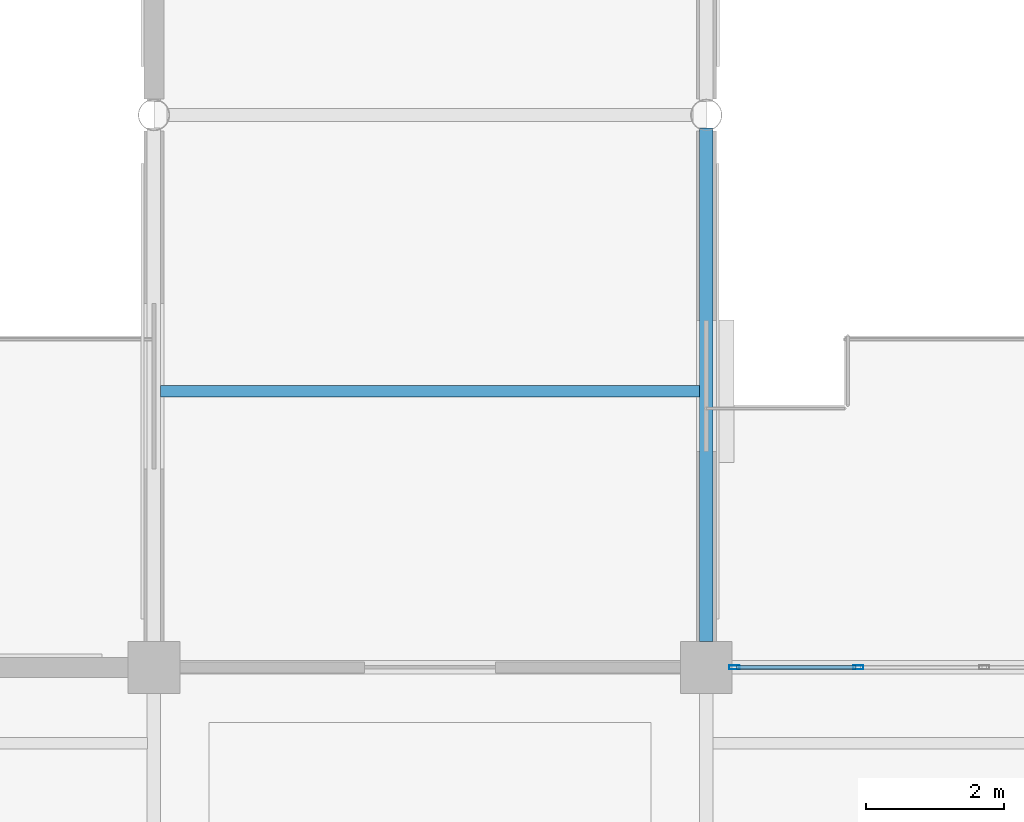
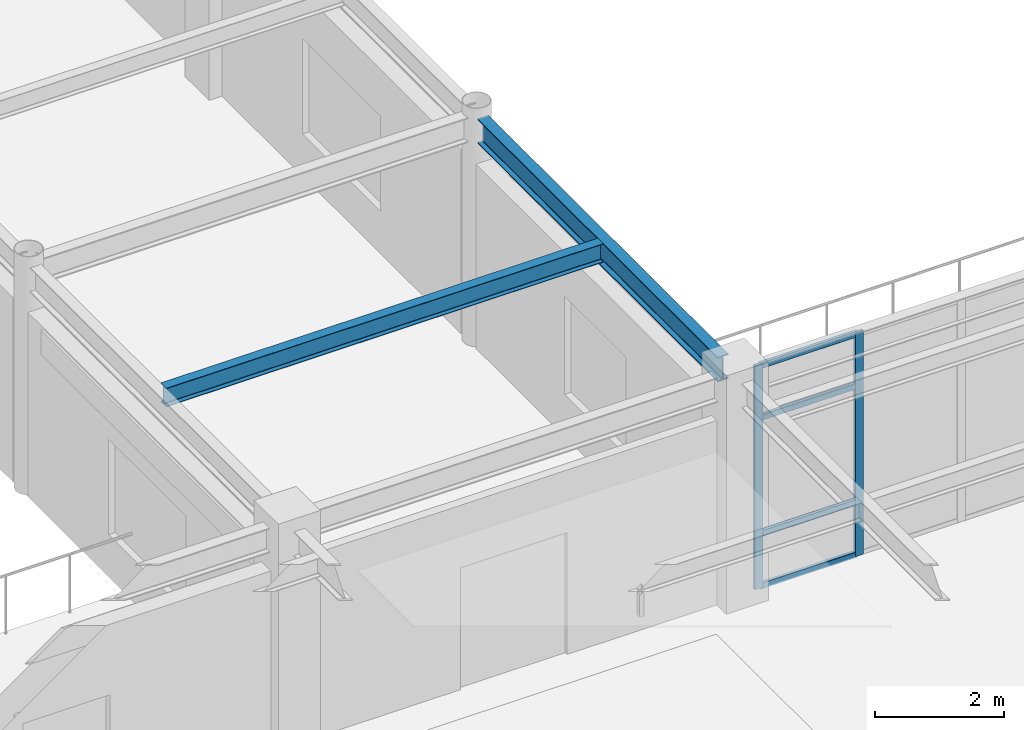
# One storey, part 16 of 78: 6 members, 2 beams, 1 element without a shape of its own.
"""IFC4 building model written with IfcOpenShell, lengths in metres."""

import ifcopenshell
import ifcopenshell.guid

model = None  # the IFC model being written
_history = None  # IfcOwnerHistory: only IFC2X3 demands one
_inside = {}  # id of a spatial element -> (the spatial element, [elements in it])
_under = {}  # id of a project, library or spatial element -> (it, [spatial elements below it])
_declared = {}  # id of a project -> (the project, [libraries it declares])
_typed = {}  # id of a type object -> (the type object, [elements of that type])
_made_of = {}  # id of a material, layer set ... -> (it, [elements and type objects made of it])


def new_model(schema):
    """Start an empty IFC model of exactly this schema.

    Asked for "IFC4X3", IfcOpenShell would pick the latest addendum, in which some entities
    have other attributes; the version numbers below select the first issue.
    IFC2X3 requires an IfcOwnerHistory on every rooted entity: one is made here for all.
    """
    global model, _history
    if schema == "IFC4X3":
        model = ifcopenshell.file(schema_version=(4, 3, 0, 0))
    else:
        model = ifcopenshell.file(schema=schema)
    _inside.clear()
    _under.clear()
    _declared.clear()
    _typed.clear()
    _made_of.clear()
    _history = None
    if model.schema == "IFC2X3":
        org = make("IfcOrganization", Name="unknown")
        user = make(
            "IfcPersonAndOrganization",
            ThePerson=make("IfcPerson", FamilyName="unknown"),
            TheOrganization=org,
        )
        app = make(
            "IfcApplication",
            ApplicationDeveloper=org,
            Version="unknown",
            ApplicationFullName="unknown",
            ApplicationIdentifier="unknown",
        )
        _history = make(
            "IfcOwnerHistory",
            OwningUser=user,
            OwningApplication=app,
            ChangeAction="ADDED",
            CreationDate=0,
        )
    return model


def make(cls, **values):
    """One entity of the class cls with the attributes given. An attribute that is None is left unset."""
    return model.create_entity(
        cls, **{name: value for name, value in values.items() if value is not None}
    )


def rooted(cls, **values):
    """An entity with a GlobalId (a new one), such as an element, a storey or a relation."""
    return make(cls, GlobalId=ifcopenshell.guid.new(), OwnerHistory=_history, **values)


def si_unit(unit_type, name, prefix=None):
    """IfcSIUnit, for example si_unit("LENGTHUNIT", "METRE", prefix="MILLI")."""
    return make("IfcSIUnit", UnitType=unit_type, Prefix=prefix, Name=name)


def assignment(units):
    """IfcUnitAssignment: the units of a project."""
    return None if units is None else make("IfcUnitAssignment", Units=units)


def point(xyz):
    """IfcCartesianPoint."""
    return None if xyz is None else make("IfcCartesianPoint", Coordinates=xyz)


def direction(xyz):
    """IfcDirection."""
    return None if xyz is None else make("IfcDirection", DirectionRatios=xyz)


def frame(location, z_axis=None, x_axis=None):
    """IfcAxis2Placement3D, a coordinate frame: its origin and axes. An axis left out is left unset."""
    return make(
        "IfcAxis2Placement3D",
        Location=point(location),
        Axis=direction(z_axis),
        RefDirection=direction(x_axis),
    )


def frame_2d(location, x_axis=None):
    """IfcAxis2Placement2D, a coordinate frame in the plane: its origin and x axis."""
    return make(
        "IfcAxis2Placement2D", Location=point(location), RefDirection=direction(x_axis)
    )


def origin():
    """The frame at (0, 0, 0) with its axes left unset."""
    return frame((0.0, 0.0, 0.0))


def origin_2d():
    """The frame at (0, 0) in the plane with its x axis left unset."""
    return frame_2d((0.0, 0.0))


def place(relative_to, where):
    """IfcLocalPlacement: puts the frame where relative to a parent placement (None: the world)."""
    return make(
        "IfcLocalPlacement", PlacementRelTo=relative_to, RelativePlacement=where
    )


def context(
    kind, dimensions, precision=None, world=None, true_north=None, identifier=None
):
    """IfcGeometricRepresentationContext, for example the 3D "Model" context."""
    return make(
        "IfcGeometricRepresentationContext",
        ContextIdentifier=identifier,
        ContextType=kind,
        CoordinateSpaceDimension=dimensions,
        Precision=precision,
        WorldCoordinateSystem=world,
        TrueNorth=true_north,
    )


def subcontext(parent, identifier, kind, view, scale=None):
    """IfcGeometricRepresentationSubContext, for example "Body" below "Model"."""
    return make(
        "IfcGeometricRepresentationSubContext",
        ContextIdentifier=identifier,
        ContextType=kind,
        ParentContext=parent,
        TargetScale=scale,
        TargetView=view,
    )


def project(units=None, contexts=None):
    """IfcProject with its units and contexts."""
    return rooted(
        "IfcProject",
        Name="project",
        RepresentationContexts=contexts,
        UnitsInContext=assignment(units),
    )


def spatial(cls, under=None, at=None, **own):
    """A site, building, storey or space (cls), placed at a placement, below another one or the project."""
    s = rooted(cls, ObjectPlacement=at, **own)
    if under is not None:
        _under.setdefault(under.id(), (under, []))[1].append(s)
    return s


def profile(cls, at=None, kind="AREA", **sizes):
    """A parametric profile (cls). Its sizes go by their IFC names, for example OverallWidth=200.0."""
    return make(cls, ProfileType=kind, Position=at, **sizes)


def hollow_rectangle(**sizes):
    """IfcRectangleHollowProfileDef."""
    return profile("IfcRectangleHollowProfileDef", **sizes)


def i_section(**sizes):
    """IfcIShapeProfileDef."""
    return profile("IfcIShapeProfileDef", **sizes)


def extrude(swept, where, along, depth):
    """IfcExtrudedAreaSolid: the profile swept, set in the frame where, extruded along a direction by depth."""
    return make(
        "IfcExtrudedAreaSolid",
        SweptArea=swept,
        Position=where,
        ExtrudedDirection=direction(along),
        Depth=depth,
    )


def shape(context_of_items, identifier, shape_type, items):
    """IfcShapeRepresentation: the items that make up one representation, for example the "Body"."""
    return make(
        "IfcShapeRepresentation",
        ContextOfItems=context_of_items,
        RepresentationIdentifier=identifier,
        RepresentationType=shape_type,
        Items=items,
    )


def material(Name=None, Category=None):
    """IfcMaterial."""
    return make("IfcMaterial", Name=Name, Category=Category)


def material_profile(
    of_material, cross_section, Name=None, Category=None, Priority=None
):
    """IfcMaterialProfile: a cross section and its material."""
    return make(
        "IfcMaterialProfile",
        Name=Name,
        Material=of_material,
        Profile=cross_section,
        Priority=Priority,
        Category=Category,
    )


def profile_set(profiles, Name=None, composite=None):
    """IfcMaterialProfileSet."""
    return make(
        "IfcMaterialProfileSet",
        Name=Name,
        MaterialProfiles=profiles,
        CompositeProfile=composite,
    )


def made_of(thing, what):
    """Note that an element or type object is made of a material, layer set ...; save() writes the relation."""
    if what is not None:
        _made_of.setdefault(what.id(), (what, []))[1].append(thing)
    return thing


def type_object(cls, material=None, **own):
    """A type object (cls), such as IfcWallType, which elements share."""
    return made_of(rooted(cls, **own), material)


def element(
    cls,
    number,
    at=None,
    inside=None,
    cuts=None,
    type_object=None,
    material=None,
    context=None,
    identifier="Body",
    shape_type=None,
    held_by="IfcProductDefinitionShape",
    body=None,
    shapes=None,
    **own,
):
    """One element of the class cls, such as IfcWall. Its Tag is "e" and its number.

    at: its placement. inside: the storey or other place that contains it. cuts: it is an
    opening in that element (IfcRelVoidsElement). A single representation is given by context,
    identifier, shape_type and body (its items); several are given by shapes. held_by: the class
    of the entity that holds the representations. save() writes the other relations.
    """
    e = rooted(cls, Tag="e%d" % number, ObjectPlacement=at, **own)
    if body is not None:
        shapes = [shape(context, identifier, shape_type, body)]
    if shapes is not None:
        e.Representation = make(held_by, Representations=shapes)
    if inside is not None:
        _inside.setdefault(inside.id(), (inside, []))[1].append(e)
    if cuts is not None:
        rooted(
            "IfcRelVoidsElement", RelatingBuildingElement=cuts, RelatedOpeningElement=e
        )
    if type_object is not None:
        _typed.setdefault(type_object.id(), (type_object, []))[1].append(e)
    return made_of(e, material)


def aggregate(whole, parts):
    """IfcRelAggregates: a whole, such as a stair, and the parts it consists of."""
    return rooted("IfcRelAggregates", RelatingObject=whole, RelatedObjects=parts)


def save(model, path):
    """Write the relations noted so far, then the file.

    IfcRelAggregates (storeys below a building ...), IfcRelContainedInSpatialStructure (elements
    in a storey), IfcRelDefinesByType, IfcRelAssociatesMaterial and IfcRelDeclares: one each for
    every whole, place, type object, material and project.
    """
    for whole, parts in _under.values():
        aggregate(whole, parts)
    for where, things in _inside.values():
        rooted(
            "IfcRelContainedInSpatialStructure",
            RelatedElements=things,
            RelatingStructure=where,
        )
    for kind, things in _typed.values():
        rooted("IfcRelDefinesByType", RelatedObjects=things, RelatingType=kind)
    for what, things in _made_of.values():
        rooted("IfcRelAssociatesMaterial", RelatedObjects=things, RelatingMaterial=what)
    for by, libraries in _declared.values():
        rooted("IfcRelDeclares", RelatingContext=by, RelatedDefinitions=libraries)
    model.write(path)


model = new_model("IFC4")

# Units and contexts
model_context = context("Model", 3, precision=1e-05, world=origin(), true_north=direction((0.0, 1.0)))
body_context = subcontext(model_context, "Body", "Model", "MODEL_VIEW")
ifc_project = project(units=[si_unit("LENGTHUNIT", "METRE"), si_unit("AREAUNIT", "SQUARE_METRE"), si_unit("VOLUMEUNIT", "CUBIC_METRE"), si_unit("PLANEANGLEUNIT", "RADIAN"), si_unit("MASSUNIT", "GRAM", prefix="KILO")], contexts=[model_context])

# Site, building, storey
site_placement = place(None, origin())
site = spatial("IfcSite", under=ifc_project, at=site_placement, CompositionType="ELEMENT")
building_placement = place(site_placement, origin())
building = spatial("IfcBuilding", under=site, at=building_placement, Name="Solmirada Galleria", CompositionType="ELEMENT")
storey_placement = place(building_placement, frame((0.0, 0.0, 23.89990234375)))
storey = spatial("IfcBuildingStorey", under=building, at=storey_placement, Name="L05", CompositionType="ELEMENT", Elevation=23.89990234375)

# Beams
ifc_material_1 = material(Name="Steel S355 / ASTM A992 Grade 50", Category="steel")
ifc_material_profile_1 = material_profile(ifc_material_1, i_section(OverallWidth=0.193115234375, OverallDepth=0.466064453125, WebThickness=0.011474609375, FlangeThickness=0.01904296875, FilletRadius=0.013916015625, at=origin_2d()), Name="W18X65")
ifc_profile_set_1 = profile_set([ifc_material_profile_1], Name="Steel S355 / ASTM A992 Grade 50")
beam_type_1 = type_object("IfcBeamType", Name="BM-GIRD-W18C", PredefinedType="BEAM", material=ifc_profile_set_1)
beam_1_placement = place(storey_placement, frame((96.0, 24.375, 4.067138671875), z_axis=(0.0, 1.0, 0.0), x_axis=(-1.0, 0.0, 0.0)))
element("IfcBeam", 1, at=beam_1_placement, inside=storey, type_object=beam_type_1, Name="Primary girder L06 Y(96, 24..32)", PredefinedType="BEAM", context=body_context, shape_type="SweptSolid", body=[
    extrude(i_section(OverallWidth=0.193115234375, OverallDepth=0.466064453125, WebThickness=0.011474609375, FlangeThickness=0.01904296875, FilletRadius=0.013916015625, at=origin_2d()), origin(), (0.0, 0.0, 1.0), 7.43310546875),
])
ifc_material_profile_2 = material_profile(ifc_material_1, i_section(OverallWidth=0.1708984375, OverallDepth=0.35205078125, WebThickness=0.0068359375, FlangeThickness=0.009765625, FilletRadius=0.010986328125, at=origin_2d()), Name="W14X30")
ifc_profile_set_2 = profile_set([ifc_material_profile_2], Name="Steel S355 / ASTM A992 Grade 50")
beam_type_2 = type_object("IfcBeamType", Name="BM-JST-W14B", PredefinedType="JOIST", material=ifc_profile_set_2)
beam_2_placement = place(storey_placement, frame((88.096435546875, 28.0, 4.1240234375), z_axis=(1.0, 0.0, 0.0), x_axis=(0.0, 1.0, 0.0)))
element("IfcBeam", 2, at=beam_2_placement, inside=storey, type_object=beam_type_2, Name="Composite floor joist L06 (88..96, 28.0)", PredefinedType="JOIST", context=body_context, shape_type="SweptSolid", body=[
    extrude(i_section(OverallWidth=0.1708984375, OverallDepth=0.35205078125, WebThickness=0.0068359375, FlangeThickness=0.009765625, FilletRadius=0.010986328125, at=origin_2d()), origin(), (0.0, 0.0, 1.0), 7.80712890625),
])

# Curtain wall, members
ifc_material_2 = material(Name="Impact-resistant low-E double glazing", Category="glass")
curtain_wall_type = type_object("IfcCurtainWallType", Name="CW-FZ5-L05-B4-L073", PredefinedType="NOTDEFINED", material=ifc_material_2)
curtain_wall_placement = place(storey_placement, origin())
curtain_wall = element("IfcCurtainWall", 3, at=curtain_wall_placement, inside=storey, type_object=curtain_wall_type, Name="Terrace and arcade storefront CW-L05-181", PredefinedType="NOTDEFINED")
ifc_material_3 = material(Name="Anodised aluminium framing", Category="aluminium")
ifc_material_profile_3 = material_profile(ifc_material_3, hollow_rectangle(XDim=0.06005859375, YDim=0.14990234375, WallThickness=0.00341796875, InnerFilletRadius=0.00341796875, OuterFilletRadius=0.007080078125, at=origin_2d()), Name="ALU-MULL-150X60")
ifc_profile_set_3 = profile_set([ifc_material_profile_3], Name="Anodised aluminium framing")
member_type_1 = type_object("IfcMemberType", Name="CW-MULL-150", PredefinedType="MULLION", material=ifc_profile_set_3)
member_1_placement = place(storey_placement, frame((96.406982421875, 24.0, 0.0), z_axis=(0.0, 0.0, 1.0), x_axis=(0.0, 1.0, 0.0)))
member_1 = element("IfcMember", 4, at=member_1_placement, type_object=member_type_1, Name="CW36 mullion 1", PredefinedType="MULLION", context=body_context, shape_type="SweptSolid", body=[
    extrude(hollow_rectangle(XDim=0.06005859375, YDim=0.14990234375, WallThickness=0.00341796875, InnerFilletRadius=0.00341796875, OuterFilletRadius=0.007080078125, at=origin_2d()), origin(), (0.0, 0.0, 1.0), 4.22021484375),
])
member_2_placement = place(storey_placement, frame((98.200927734375, 24.0, 0.0), z_axis=(0.0, 0.0, 1.0), x_axis=(0.0, 1.0, 0.0)))
member_2 = element("IfcMember", 5, at=member_2_placement, type_object=member_type_1, Name="CW36 mullion 2", PredefinedType="MULLION", context=body_context, shape_type="SweptSolid", body=[
    extrude(hollow_rectangle(XDim=0.06005859375, YDim=0.14990234375, WallThickness=0.00341796875, InnerFilletRadius=0.00341796875, OuterFilletRadius=0.007080078125, at=origin_2d()), origin(), (0.0, 0.0, 1.0), 4.22021484375),
])
ifc_material_profile_4 = material_profile(ifc_material_3, hollow_rectangle(XDim=0.06005859375, YDim=0.110107421875, WallThickness=0.003173828125, InnerFilletRadius=0.003173828125, OuterFilletRadius=0.00634765625, at=origin_2d()), Name="ALU-TRAN-110X60")
ifc_profile_set_4 = profile_set([ifc_material_profile_4], Name="Anodised aluminium framing")
member_type_2 = type_object("IfcMemberType", Name="CW-TRAN-110", PredefinedType="USERDEFINED", material=ifc_profile_set_4)
member_3_placement = place(storey_placement, frame((96.43701171875, 24.0, 0.030029296875), z_axis=(1.0, 0.0, 0.0), x_axis=(0.0, 1.0, 0.0)))
member_3 = element("IfcMember", 6, at=member_3_placement, type_object=member_type_2, Name="CW36 transom 1.1", ObjectType="TRANSOM", PredefinedType="USERDEFINED", context=body_context, shape_type="SweptSolid", body=[
    extrude(hollow_rectangle(XDim=0.06005859375, YDim=0.110107421875, WallThickness=0.003173828125, InnerFilletRadius=0.003173828125, OuterFilletRadius=0.00634765625, at=origin_2d()), origin(), (0.0, 0.0, 1.0), 1.73388671875),
])
member_4_placement = place(storey_placement, frame((96.43701171875, 24.0, 1.02001953125), z_axis=(1.0, 0.0, 0.0), x_axis=(0.0, 1.0, 0.0)))
member_4 = element("IfcMember", 7, at=member_4_placement, type_object=member_type_2, Name="CW36 transom 1.2", ObjectType="TRANSOM", PredefinedType="USERDEFINED", context=body_context, shape_type="SweptSolid", body=[
    extrude(hollow_rectangle(XDim=0.06005859375, YDim=0.110107421875, WallThickness=0.003173828125, InnerFilletRadius=0.003173828125, OuterFilletRadius=0.00634765625, at=origin_2d()), origin(), (0.0, 0.0, 1.0), 1.73388671875),
])
member_5_placement = place(storey_placement, frame((96.43701171875, 24.0, 3.210205078125), z_axis=(1.0, 0.0, 0.0), x_axis=(0.0, 1.0, 0.0)))
member_5 = element("IfcMember", 8, at=member_5_placement, type_object=member_type_2, Name="CW36 transom 1.3", ObjectType="TRANSOM", PredefinedType="USERDEFINED", context=body_context, shape_type="SweptSolid", body=[
    extrude(hollow_rectangle(XDim=0.06005859375, YDim=0.110107421875, WallThickness=0.003173828125, InnerFilletRadius=0.003173828125, OuterFilletRadius=0.00634765625, at=origin_2d()), origin(), (0.0, 0.0, 1.0), 1.73388671875),
])
member_6_placement = place(storey_placement, frame((96.43701171875, 24.0, 4.190185546875), z_axis=(1.0, 0.0, 0.0), x_axis=(0.0, 1.0, 0.0)))
member_6 = element("IfcMember", 9, at=member_6_placement, type_object=member_type_2, Name="CW36 transom 1.4", ObjectType="TRANSOM", PredefinedType="USERDEFINED", context=body_context, shape_type="SweptSolid", body=[
    extrude(hollow_rectangle(XDim=0.06005859375, YDim=0.110107421875, WallThickness=0.003173828125, InnerFilletRadius=0.003173828125, OuterFilletRadius=0.00634765625, at=origin_2d()), origin(), (0.0, 0.0, 1.0), 1.73388671875),
])
aggregate(curtain_wall, [member_1, member_2, member_3, member_4, member_5, member_6])

save(model, "model.ifc")
